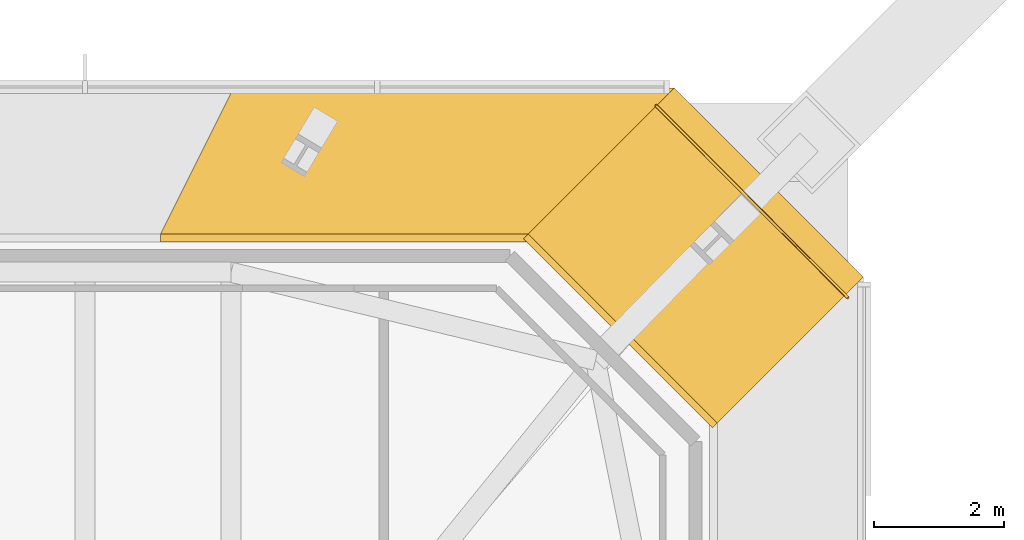
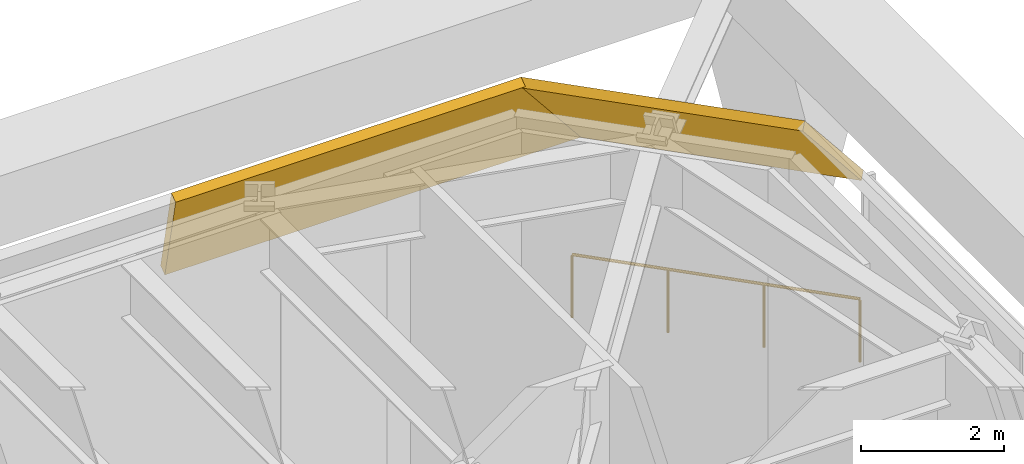
# One storey, part 16 of 16: 2 shading devices, 1 railing.
"""IFC4 building model written with IfcOpenShell, lengths in metres."""

from ifc_helpers import new_model, si_unit, direction, frame, origin, origin_2d, place, context, subcontext, project, spatial, polyline, circle, outline, extrude, material, layer, layer_set, constituent, constituent_set, type_object, element, save


model = new_model("IFC4")

# Units and contexts
model_context = context("Model", 3, precision=1e-05, world=origin(), true_north=direction((0.0, 1.0)))
body_context = subcontext(model_context, "Body", "Model", "MODEL_VIEW")
ifc_project = project(units=[si_unit("LENGTHUNIT", "METRE"), si_unit("AREAUNIT", "SQUARE_METRE"), si_unit("VOLUMEUNIT", "CUBIC_METRE"), si_unit("PLANEANGLEUNIT", "RADIAN"), si_unit("MASSUNIT", "GRAM", prefix="KILO")], contexts=[model_context])

# Site, building, storey
site_placement = place(None, origin())
site = spatial("IfcSite", under=ifc_project, at=site_placement, CompositionType="ELEMENT")
building_placement = place(site_placement, origin())
building = spatial("IfcBuilding", under=site, at=building_placement, Name="Iwan Alto Co-Living Towers", CompositionType="ELEMENT")
storey_placement = place(building_placement, frame((0.0, 0.0, 74.5)))
storey = spatial("IfcBuildingStorey", under=building, at=storey_placement, Name="L20", CompositionType="ELEMENT", Elevation=74.5)

# Railing
ifc_material_1 = material(Name="Aluminium 6063-T6 bronze anodised", Category="aluminium")
ifc_constituent_1 = constituent(ifc_material_1, Name="Rails and posts", Category="Framing")
ifc_material_2 = material(Name="Laminated toughened glass", Category="glass")
ifc_constituent_2 = constituent(ifc_material_2, Name="Infill", Category="Infill")
ifc_constituent_set = constituent_set(constituents=[ifc_constituent_1, ifc_constituent_2], Name="GUARDRAIL 1100")
railing_type = type_object("IfcRailingType", Name="GUARDRAIL 1100", PredefinedType="GUARDRAIL", material=ifc_constituent_set)
railing_placement = place(storey_placement, frame((79.246826171875, 15.50830078125, 0.0)))
element("IfcRailing", 1, at=railing_placement, inside=storey, type_object=railing_type, Name="Guardrail L20", PredefinedType="GUARDRAIL", context=body_context, shape_type="SweptSolid", body=[
    extrude(circle(Radius=0.02392578125, at=origin_2d()), frame((0.0, 0.0, 1.076171875), z_axis=(-0.706346797705, 0.70786594873, 0.0), x_axis=(-0.70786594873, -0.706346797705, 0.0)), (0.0, 0.0, 1.0), 4.178466796875),
    extrude(circle(Radius=0.02099609375, at=origin_2d()), origin(), (0.0, 0.0, 1.0), 1.052001953125),
    extrude(circle(Radius=0.02099609375, at=origin_2d()), frame((-0.98388671875, 0.98583984375, 0.0)), (0.0, 0.0, 1.0), 1.052001953125),
    extrude(circle(Radius=0.02099609375, at=origin_2d()), frame((-1.967529296875, 1.971923828125, 0.0)), (0.0, 0.0, 1.0), 1.052001953125),
    extrude(circle(Radius=0.02099609375, at=origin_2d()), frame((-2.951416015625, 2.957763671875, 0.0)), (0.0, 0.0, 1.0), 1.052001953125),
])

# Shading devices
ifc_layer_1 = layer(ifc_material_1, 0.10009765625, Name="Louvre blades", Category="Finish")
ifc_material_3 = material(Name="Steel ASTM A36 galvanised frame", Category="steel")
ifc_layer_2 = layer(ifc_material_3, 0.050048828125, Name="Steel frame", Category="Framing")
ifc_layer_set = layer_set([ifc_layer_1, ifc_layer_2], Name="PLANT LOUVRE BAND 150")
shading_device_type = type_object("IfcShadingDeviceType", Name="PLANT LOUVRE BAND 150", PredefinedType="USERDEFINED", material=ifc_layer_set)
shading_device_1_placement = place(storey_placement, frame((79.487548828125, 15.827392578125, 3.0), z_axis=(0.485071250073, 0.485071250073, 0.727606875109), x_axis=(-0.707106781187, 0.707106781187, 0.0)))
element("IfcShadingDevice", 2, at=shading_device_1_placement, inside=storey, type_object=shading_device_type, Name="T2 raked louvre band L20 panel 10", ObjectType="LOUVER", PredefinedType="USERDEFINED", context=body_context, shape_type="SweptSolid", body=[
    extrude(outline(polyline([(0.0, 0.0), (4.115582437, 0.0), (4.115582437, 4.373213921), (0.0, 4.373213921), (0.0, 0.0)])), origin(), (0.0, 0.0, -1.0), 0.14990234375),
])
shading_device_2_placement = place(storey_placement, frame((76.577392578125, 18.737548828125, 3.0), z_axis=(0.0, 0.8, 0.6), x_axis=(-1.0, 0.0, 0.0)))
element("IfcShadingDevice", 3, at=shading_device_2_placement, inside=storey, type_object=shading_device_type, Name="T2 raked louvre band L20 panel 11", ObjectType="LOUVER", PredefinedType="USERDEFINED", context=body_context, shape_type="SweptSolid", body=[
    extrude(outline(polyline([(0.0, 0.0), (6.788574219, 0.0), (7.913574219, 3.75), (2.25, 3.75), (0.0, 0.0)])), origin(), (0.0, 0.0, -1.0), 0.14990234375),
])

save(model, "model.ifc")
